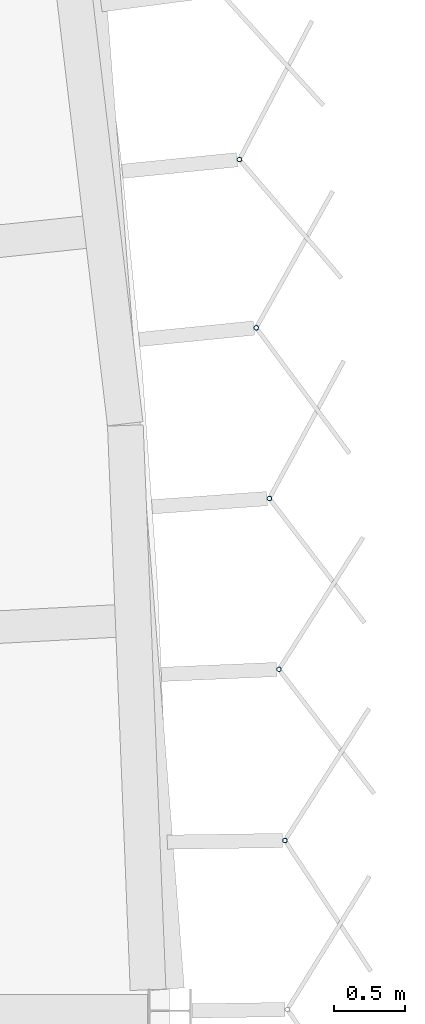
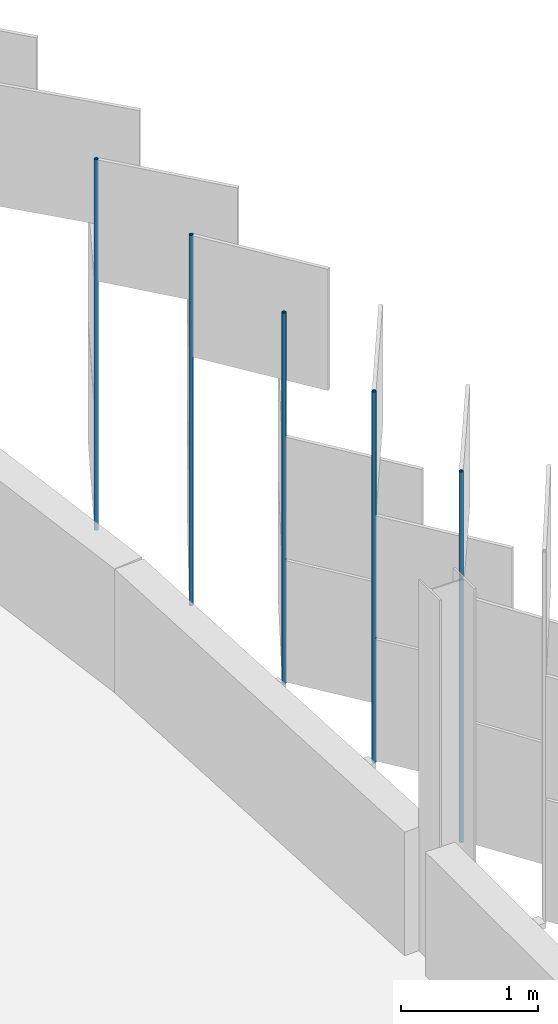
# One storey, part 118 of 198: 5 discrete accessories.
"""IFC4 building model written with IfcOpenShell, lengths in metres."""

from ifc_helpers import new_model, si_unit, direction, frame, origin, origin_2d, place, context, subcontext, project, spatial, hollow_circle, extrude, material, material_profile, profile_set, type_object, element, save


model = new_model("IFC4")

# Units and contexts
model_context = context("Model", 3, precision=1e-05, world=origin(), true_north=direction((0.0, 1.0)))
body_context = subcontext(model_context, "Body", "Model", "MODEL_VIEW")
ifc_project = project(units=[si_unit("LENGTHUNIT", "METRE"), si_unit("AREAUNIT", "SQUARE_METRE"), si_unit("VOLUMEUNIT", "CUBIC_METRE"), si_unit("PLANEANGLEUNIT", "RADIAN"), si_unit("MASSUNIT", "GRAM", prefix="KILO")], contexts=[model_context])

# Site, building, storey
site_placement = place(None, origin())
site = spatial("IfcSite", under=ifc_project, at=site_placement, CompositionType="ELEMENT")
building_placement = place(site_placement, origin())
building = spatial("IfcBuilding", under=site, at=building_placement, Name="Parallax Yard Mobility Hub", CompositionType="ELEMENT")
storey_placement = place(building_placement, frame((0.0, 0.0, 6.60009765625)))
storey = spatial("IfcBuildingStorey", under=building, at=storey_placement, Name="L02", CompositionType="ELEMENT", Elevation=6.60009765625)

# Discrete accessories
ifc_material = material(Name="Steel ASTM A500 Gr C, hot-dip galvanised", Category="steel")
ifc_material_profile = material_profile(ifc_material, hollow_circle(Radius=0.016845703125, WallThickness=0.003173828125, at=origin_2d()), Name="CHS 33.7x3.2")
ifc_profile_set = profile_set([ifc_material_profile], Name="Steel ASTM A500 Gr C, hot-dip galvanised")
discrete_accessory_type = type_object("IfcDiscreteAccessoryType", Name="Hinge post CHS 33.7x3.2", PredefinedType="BRACKET", material=ifc_profile_set)
for number, where, z_axis, x_axis, name in (
    (1, (225.806884765625, 91.194091796875, 0.0), (0.0, 0.0, 1.0), (1.0, 0.0, 0.0), "Hinge post bay 41.2 level L02"),
    (2, (225.764892578125, 92.392822265625, 0.0), (0.0, 0.0, 1.0), (1.0, 0.0, 0.0), "Hinge post bay 41.3 level L02"),
    (3, (225.697998046875, 93.590087890625, 0.0), (0.0, 0.0, 1.0), (1.0, 0.0, 0.0), "Hinge post bay 41.4 level L02"),
    (4, (225.60595703125, 94.785888671875, 0.0), (0.0, 0.0, 1.0), (1.0, 0.0, 0.0), "Hinge post bay 41.5 level L02"),
    (5, (225.48779296875, 95.964599609375, 0.0), (0.0, 0.0, 1.0), (1.0, 0.0, 0.0), "Hinge post bay 41.6 level L02"),
):
    element("IfcDiscreteAccessory", number, at=place(storey_placement, frame(where, z_axis=z_axis, x_axis=x_axis)), inside=storey, type_object=discrete_accessory_type, Name=name, PredefinedType="BRACKET", context=body_context, shape_type="SweptSolid", body=[
        extrude(hollow_circle(Radius=0.016845703125, WallThickness=0.003173828125, at=origin_2d()), origin(), (0.0, 0.0, 1.0), 3.2998046875),
    ])

save(model, "model.ifc")
